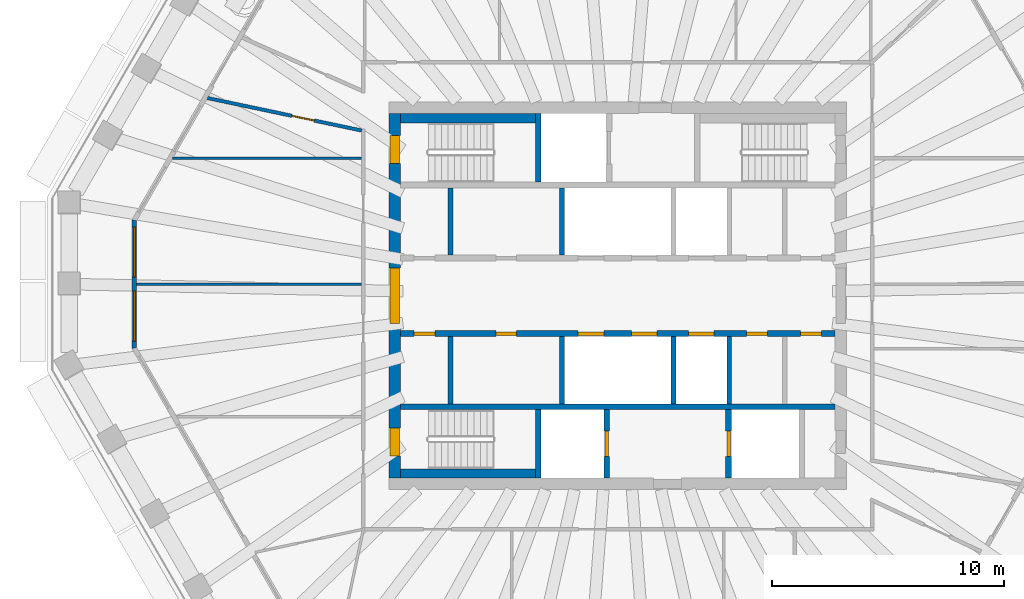
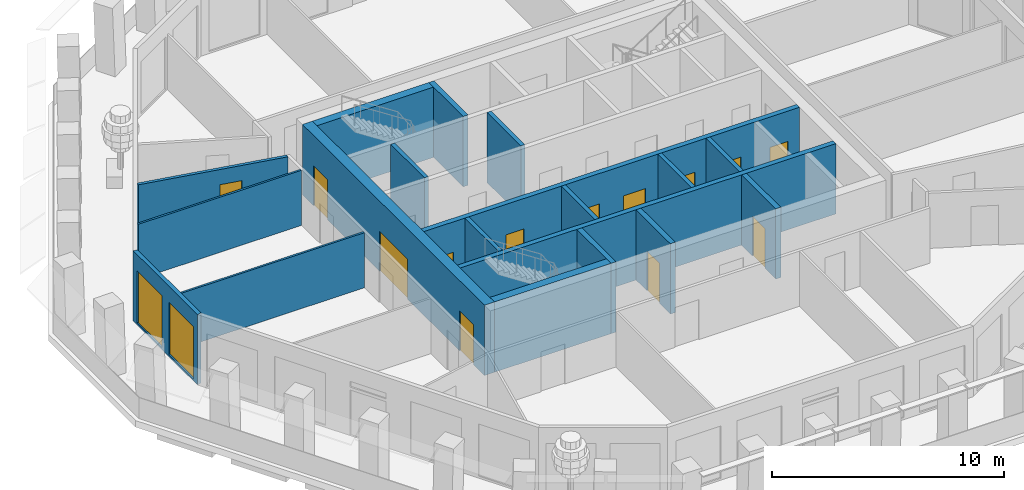
# One storey, part 4 of 11: 19 walls, 13 doors, 2 windows, 15 openings.
"""IFC4 building model written with IfcOpenShell, lengths in metres."""

from ifc_helpers import new_model, si_unit, direction, frame, frame_2d, origin, place, context, subcontext, project, spatial, polyline, rectangle, outline, extrude, material, layer, layer_set, type_object, element, fill, save


model = new_model("IFC4")

# Units and contexts
model_context = context("Model", 3, precision=1e-05, world=origin(), true_north=direction((0.0, 1.0)))
body_context = subcontext(model_context, "Body", "Model", "MODEL_VIEW")
ifc_project = project(units=[si_unit("LENGTHUNIT", "METRE"), si_unit("AREAUNIT", "SQUARE_METRE"), si_unit("VOLUMEUNIT", "CUBIC_METRE"), si_unit("PLANEANGLEUNIT", "RADIAN"), si_unit("MASSUNIT", "GRAM", prefix="KILO")], contexts=[model_context])

# Site, building, storey
site_placement = place(None, origin())
site = spatial("IfcSite", under=ifc_project, at=site_placement, CompositionType="ELEMENT")
building_placement = place(site_placement, origin())
building = spatial("IfcBuilding", under=site, at=building_placement, Name="Frailejon Research Tower", CompositionType="ELEMENT")
storey_placement = place(building_placement, frame((0.0, 0.0, 279.0)))
storey = spatial("IfcBuildingStorey", under=building, at=storey_placement, Name="L61", CompositionType="ELEMENT", Elevation=279.0)

# Wall, openings, doors
ifc_material_1 = material(Name="Concrete C50/60", Category="concrete")
ifc_layer_1 = layer(ifc_material_1, 0.5)
ifc_layer_set_1 = layer_set([ifc_layer_1], Name="Core shear wall 500 C50/60")
wall_type_1 = type_object("IfcWallType", Name="Core shear wall 500 C50/60", PredefinedType="SHEAR", material=ifc_layer_set_1)
wall_1_placement = place(storey_placement, frame((-9.60009765625, -7.85009765625, 0.0), z_axis=(0.0, 0.0, 1.0), x_axis=(0.0, 1.0, 0.0)))
wall_1 = element("IfcWall", 1, at=wall_1_placement, inside=storey, type_object=wall_type_1, Name="Core shear wall", PredefinedType="SHEAR", context=body_context, shape_type="SweptSolid", body=[
    extrude(rectangle(XDim=15.7001953125, YDim=0.5, at=frame_2d((7.85009765625, 0.0))), origin(), (0.0, 0.0, 1.0), 3.699951171875),
])
opening_1_placement = place(wall_1_placement, frame((6.64990234375, 0.0, 0.0)))
opening_1 = element("IfcOpeningElement", 2, at=opening_1_placement, cuts=wall_1, Name="Opening D2", PredefinedType="OPENING", context=body_context, shape_type="SweptSolid", body=[
    extrude(rectangle(XDim=2.39990234375, YDim=2.10009765625, at=frame_2d((1.199951171875, 1.050048828125))), frame((0.0, 0.260009765625, 0.0), z_axis=(0.0, -1.0, 0.0), x_axis=(1.0, 0.0, 0.0)), (0.0, 0.0, 1.0), 0.52001953125),
])
opening_2_placement = place(wall_1_placement, frame((13.550048828125, 0.0, 0.0)))
opening_2 = element("IfcOpeningElement", 3, at=opening_2_placement, cuts=wall_1, Name="Opening D1", PredefinedType="OPENING", context=body_context, shape_type="SweptSolid", body=[
    extrude(rectangle(XDim=1.199951171875, YDim=2.10009765625, at=frame_2d((0.60009765625, 1.050048828125))), frame((0.0, 0.260009765625, 0.0), z_axis=(0.0, -1.0, 0.0), x_axis=(1.0, 0.0, 0.0)), (0.0, 0.0, 1.0), 0.52001953125),
])
opening_3_placement = place(wall_1_placement, frame((0.949951171875, 0.0, 0.0)))
opening_3 = element("IfcOpeningElement", 4, at=opening_3_placement, cuts=wall_1, Name="Opening D1", PredefinedType="OPENING", context=body_context, shape_type="SweptSolid", body=[
    extrude(rectangle(XDim=1.199951171875, YDim=2.10009765625, at=frame_2d((0.60009765625, 1.050048828125))), frame((0.0, 0.260009765625, 0.0), z_axis=(0.0, -1.0, 0.0), x_axis=(1.0, 0.0, 0.0)), (0.0, 0.0, 1.0), 0.52001953125),
])
ifc_material_2 = material(Name="Steel", Category="steel")
door_type_1 = type_object("IfcDoorType", Name="Lobby double door", OperationType="DOUBLE_DOOR_SINGLE_SWING", PredefinedType="DOOR", material=ifc_material_2)
door_1_placement = place(opening_1_placement, origin())
door_1 = element("IfcDoor", 5, at=door_1_placement, inside=storey, type_object=door_type_1, Name="Lobby door", OperationType="DOUBLE_DOOR_SINGLE_SWING", OverallHeight=2.10009765625, OverallWidth=2.39990234375, PredefinedType="DOOR", context=body_context, shape_type="SweptSolid", body=[
    extrude(rectangle(XDim=2.39990234375, YDim=2.10009765625, at=frame_2d((1.199951171875, 1.050048828125))), frame((0.0, 0.199951171875, 0.0), z_axis=(0.0, -1.0, 0.0), x_axis=(1.0, 0.0, 0.0)), (0.0, 0.0, 1.0), 0.39990234375),
])
fill(opening_1, door_1)
ifc_material_3 = material(Name="Steel", Category="steel")
door_type_2 = type_object("IfcDoorType", Name="Stair door", OperationType="SINGLE_SWING_LEFT", PredefinedType="DOOR", material=ifc_material_3)
door_2_placement = place(opening_2_placement, origin())
door_2 = element("IfcDoor", 6, at=door_2_placement, inside=storey, type_object=door_type_2, Name="Stair door ST1", OperationType="SINGLE_SWING_RIGHT", OverallHeight=2.10009765625, OverallWidth=1.199951171875, PredefinedType="DOOR", context=body_context, shape_type="SweptSolid", body=[
    extrude(rectangle(XDim=1.199951171875, YDim=2.10009765625, at=frame_2d((0.60009765625, 1.050048828125))), frame((0.0, 0.199951171875, 0.0), z_axis=(0.0, -1.0, 0.0), x_axis=(1.0, 0.0, 0.0)), (0.0, 0.0, 1.0), 0.39990234375),
])
fill(opening_2, door_2)
door_3_placement = place(opening_3_placement, origin())
door_3 = element("IfcDoor", 7, at=door_3_placement, inside=storey, type_object=door_type_2, Name="Stair door ST2", OperationType="SINGLE_SWING_LEFT", OverallHeight=2.10009765625, OverallWidth=1.199951171875, PredefinedType="DOOR", context=body_context, shape_type="SweptSolid", body=[
    extrude(rectangle(XDim=1.199951171875, YDim=2.10009765625, at=frame_2d((0.60009765625, 1.050048828125))), frame((0.0, 0.199951171875, 0.0), z_axis=(0.0, -1.0, 0.0), x_axis=(1.0, 0.0, 0.0)), (0.0, 0.0, 1.0), 0.39990234375),
])
fill(opening_3, door_3)

# Wall, opening, door
ifc_material_4 = material(Name="Gypsum board and masonry partition", Category="masonry")
ifc_layer_2 = layer(ifc_material_4, 0.14990234375)
ifc_layer_set_2 = layer_set([ifc_layer_2], Name="Corridor wall EI 60, gypsum on steel studs 150")
wall_type_2 = type_object("IfcWallType", Name="Corridor wall EI 60, gypsum on steel studs 150", PredefinedType="PARTITIONING", material=ifc_layer_set_2)
wall_2_placement = place(storey_placement, frame((-17.662109375, 8.513916015625, 0.0), z_axis=(0.0, 0.0, 1.0), x_axis=(0.978525342135, -0.206126550447, 0.0)))
wall_2 = element("IfcWall", 8, at=wall_2_placement, inside=storey, type_object=wall_type_2, Name="T:IW:L61:002", PredefinedType="PARTITIONING", context=body_context, shape_type="SweptSolid", body=[
    extrude(rectangle(XDim=6.784423828125, YDim=0.14990234375, at=frame_2d((3.39208984375, 0.0))), origin(), (0.0, 0.0, 1.0), 2.89990234375),
])
opening_4_placement = place(wall_2_placement, frame((3.70361328125, 0.0, 0.0)))
opening_4 = element("IfcOpeningElement", 9, at=opening_4_placement, cuts=wall_2, Name="Opening D2176", PredefinedType="OPENING", context=body_context, shape_type="SweptSolid", body=[
    extrude(rectangle(XDim=1.0, YDim=2.10009765625, at=frame_2d((0.5, 1.050048828125))), frame((0.0, 0.0849609375, 0.0), z_axis=(0.0, -1.0, 0.0), x_axis=(1.0, 0.0, 0.0)), (0.0, 0.0, 1.0), 0.169921875),
])
ifc_material_5 = material(Name="Timber door leaf", Category="wood")
door_type_3 = type_object("IfcDoorType", Name="Door single leaf, timber, steel frame 1000", OperationType="NOTDEFINED", PredefinedType="DOOR", material=ifc_material_5)
door_4_placement = place(opening_4_placement, origin())
door_4 = element("IfcDoor", 10, at=door_4_placement, inside=storey, type_object=door_type_3, Name="D2176", OperationType="SINGLE_SWING_RIGHT", OverallHeight=2.10009765625, OverallWidth=1.0, PredefinedType="DOOR", context=body_context, shape_type="SweptSolid", body=[
    extrude(rectangle(XDim=1.0, YDim=2.10009765625, at=frame_2d((0.5, 1.050048828125))), frame((0.0, 0.02490234375, 0.0), z_axis=(0.0, -1.0, 0.0), x_axis=(1.0, 0.0, 0.0)), (0.0, 0.0, 1.0), 0.050048828125),
])
fill(opening_4, door_4)

# Walls
ifc_material_6 = material(Name="Gypsum board and masonry partition", Category="masonry")
ifc_layer_3 = layer(ifc_material_6, 0.10009765625)
ifc_layer_set_3 = layer_set([ifc_layer_3], Name="Partition, gypsum on steel studs 100")
wall_type_3 = type_object("IfcWallType", Name="Partition, gypsum on steel studs 100", PredefinedType="PARTITIONING", material=ifc_layer_set_3)
wall_3_placement = place(storey_placement, frame((-20.714111328125, 0.502685546875, 0.0), z_axis=(0.0, 0.0, 1.0), x_axis=(1.0, 0.0, 0.0)))
element("IfcWall", 11, at=wall_3_placement, inside=storey, type_object=wall_type_3, Name="T:IW:L61:014", PredefinedType="PARTITIONING", context=body_context, shape_type="SweptSolid", body=[
    extrude(rectangle(XDim=9.689208984375, YDim=0.10009765625, at=frame_2d((4.8447265625, 0.0))), origin(), (0.0, 0.0, 1.0), 2.89990234375),
])
wall_4_placement = place(storey_placement, frame((-19.16015625, 5.91943359375, 0.0), z_axis=(0.0, 0.0, 1.0), x_axis=(1.0, 0.0, 0.0)))
element("IfcWall", 12, at=wall_4_placement, inside=storey, type_object=wall_type_3, Name="T:IW:L61:020", PredefinedType="PARTITIONING", context=body_context, shape_type="SweptSolid", body=[
    extrude(rectangle(XDim=8.13525390625, YDim=0.10009765625, at=frame_2d((4.067626953125, 0.0))), origin(), (0.0, 0.0, 1.0), 2.89990234375),
])
ifc_material_7 = material(Name="Concrete C50/60", Category="concrete")
ifc_layer_4 = layer(ifc_material_7, 0.199951171875)
ifc_layer_set_4 = layer_set([ifc_layer_4], Name="Shaft wall 200 C50/60")
wall_type_4 = type_object("IfcWallType", Name="Shaft wall 200 C50/60", PredefinedType="SOLIDWALL", material=ifc_layer_set_4)
for number, where, z_axis, x_axis, name in (
    (13, (-7.199951171875, 1.75, 0.0), (0.0, 0.0, 1.0), (0.0, 1.0, 0.0), "Shaft wall"),
    (14, (-2.39990234375, 1.75, 0.0), (0.0, 0.0, 1.0), (0.0, 1.0, 0.0), "Shaft wall"),
    (15, (-7.199951171875, -4.64990234375, 0.0), (0.0, 0.0, 1.0), (0.0, 1.0, 0.0), "Shaft wall"),
    (16, (-2.39990234375, -4.64990234375, 0.0), (0.0, 0.0, 1.0), (0.0, 1.0, 0.0), "Shaft wall"),
    (17, (2.39990234375, -4.64990234375, 0.0), (0.0, 0.0, 1.0), (0.0, 1.0, 0.0), "Shaft wall"),
    (18, (4.800048828125, -4.64990234375, 0.0), (0.0, 0.0, 1.0), (0.0, 1.0, 0.0), "Shaft wall"),
):
    element("IfcWall", number, at=place(storey_placement, frame(where, z_axis=z_axis, x_axis=x_axis)), inside=storey, type_object=wall_type_4, Name=name, PredefinedType="SOLIDWALL", context=body_context, shape_type="SweptSolid", body=[
        extrude(rectangle(XDim=2.89990234375, YDim=0.199951171875, at=frame_2d((1.449951171875, 0.0))), origin(), (0.0, 0.0, 1.0), 3.699951171875),
    ])

# Wall, openings, doors
ifc_material_8 = material(Name="Concrete C50/60", Category="concrete")
ifc_layer_5 = layer(ifc_material_8, 0.25)
ifc_layer_set_5 = layer_set([ifc_layer_5], Name="Shaft wall 250 C50/60")
wall_type_5 = type_object("IfcWallType", Name="Shaft wall 250 C50/60", PredefinedType="SOLIDWALL", material=ifc_layer_set_5)
wall_5_placement = place(storey_placement, frame((-9.35009765625, -1.625, 0.0), z_axis=(0.0, 0.0, 1.0), x_axis=(1.0, 0.0, 0.0)))
wall_5 = element("IfcWall", 19, at=wall_5_placement, inside=storey, type_object=wall_type_5, Name="Shaft wall", PredefinedType="SOLIDWALL", context=body_context, shape_type="SweptSolid", body=[
    extrude(rectangle(XDim=18.7001953125, YDim=0.25, at=frame_2d((9.35009765625, 0.0))), origin(), (0.0, 0.0, 1.0), 3.699951171875),
])
opening_5_placement = place(wall_5_placement, frame((7.64990234375, 0.0, 0.0)))
opening_5 = element("IfcOpeningElement", 20, at=opening_5_placement, cuts=wall_5, Name="Opening LD", PredefinedType="OPENING", context=body_context, shape_type="SweptSolid", body=[
    extrude(rectangle(XDim=1.10009765625, YDim=2.10009765625, at=frame_2d((0.550048828125, 1.050048828125))), frame((0.0, 0.135009765625, 0.0), z_axis=(0.0, -1.0, 0.0), x_axis=(1.0, 0.0, 0.0)), (0.0, 0.0, 1.0), 0.27001953125),
])
opening_6_placement = place(wall_5_placement, frame((9.949951171875, 0.0, 0.0)))
opening_6 = element("IfcOpeningElement", 21, at=opening_6_placement, cuts=wall_5, Name="Opening LD", PredefinedType="OPENING", context=body_context, shape_type="SweptSolid", body=[
    extrude(rectangle(XDim=1.10009765625, YDim=2.10009765625, at=frame_2d((0.550048828125, 1.050048828125))), frame((0.0, 0.135009765625, 0.0), z_axis=(0.0, -1.0, 0.0), x_axis=(1.0, 0.0, 0.0)), (0.0, 0.0, 1.0), 0.27001953125),
])
opening_7_placement = place(wall_5_placement, frame((12.39990234375, 0.0, 0.0)))
opening_7 = element("IfcOpeningElement", 22, at=opening_7_placement, cuts=wall_5, Name="Opening LD", PredefinedType="OPENING", context=body_context, shape_type="SweptSolid", body=[
    extrude(rectangle(XDim=1.10009765625, YDim=2.10009765625, at=frame_2d((0.550048828125, 1.050048828125))), frame((0.0, 0.135009765625, 0.0), z_axis=(0.0, -1.0, 0.0), x_axis=(1.0, 0.0, 0.0)), (0.0, 0.0, 1.0), 0.27001953125),
])
opening_8_placement = place(wall_5_placement, frame((0.574951171875, 0.0, 0.0)))
opening_8 = element("IfcOpeningElement", 23, at=opening_8_placement, cuts=wall_5, Name="Opening D8", PredefinedType="OPENING", context=body_context, shape_type="SweptSolid", body=[
    extrude(rectangle(XDim=0.89990234375, YDim=2.10009765625, at=frame_2d((0.449951171875, 1.050048828125))), frame((0.0, 0.135009765625, 0.0), z_axis=(0.0, -1.0, 0.0), x_axis=(1.0, 0.0, 0.0)), (0.0, 0.0, 1.0), 0.27001953125),
])
opening_9_placement = place(wall_5_placement, frame((4.10009765625, 0.0, 0.0)))
opening_9 = element("IfcOpeningElement", 24, at=opening_9_placement, cuts=wall_5, Name="Opening D8", PredefinedType="OPENING", context=body_context, shape_type="SweptSolid", body=[
    extrude(rectangle(XDim=0.89990234375, YDim=2.10009765625, at=frame_2d((0.449951171875, 1.050048828125))), frame((0.0, 0.135009765625, 0.0), z_axis=(0.0, -1.0, 0.0), x_axis=(1.0, 0.0, 0.0)), (0.0, 0.0, 1.0), 0.27001953125),
])
opening_10_placement = place(wall_5_placement, frame((14.89990234375, 0.0, 0.0)))
opening_10 = element("IfcOpeningElement", 25, at=opening_10_placement, cuts=wall_5, Name="Opening D8", PredefinedType="OPENING", context=body_context, shape_type="SweptSolid", body=[
    extrude(rectangle(XDim=0.89990234375, YDim=2.10009765625, at=frame_2d((0.449951171875, 1.050048828125))), frame((0.0, 0.135009765625, 0.0), z_axis=(0.0, -1.0, 0.0), x_axis=(1.0, 0.0, 0.0)), (0.0, 0.0, 1.0), 0.27001953125),
])
opening_11_placement = place(wall_5_placement, frame((17.22509765625, 0.0, 0.0)))
opening_11 = element("IfcOpeningElement", 26, at=opening_11_placement, cuts=wall_5, Name="Opening D8", PredefinedType="OPENING", context=body_context, shape_type="SweptSolid", body=[
    extrude(rectangle(XDim=0.89990234375, YDim=2.10009765625, at=frame_2d((0.449951171875, 1.050048828125))), frame((0.0, 0.135009765625, 0.0), z_axis=(0.0, -1.0, 0.0), x_axis=(1.0, 0.0, 0.0)), (0.0, 0.0, 1.0), 0.27001953125),
])
ifc_material_9 = material(Name="Steel", Category="steel")
door_type_4 = type_object("IfcDoorType", Name="Core room door", OperationType="SINGLE_SWING_LEFT", PredefinedType="DOOR", material=ifc_material_9)
door_5_placement = place(opening_8_placement, origin())
door_5 = element("IfcDoor", 27, at=door_5_placement, inside=storey, type_object=door_type_4, Name="Room door", OperationType="SINGLE_SWING_RIGHT", OverallHeight=2.10009765625, OverallWidth=0.89990234375, PredefinedType="DOOR", context=body_context, shape_type="SweptSolid", body=[
    extrude(rectangle(XDim=0.89990234375, YDim=2.10009765625, at=frame_2d((0.449951171875, 1.050048828125))), frame((0.0, 0.074951171875, 0.0), z_axis=(0.0, -1.0, 0.0), x_axis=(1.0, 0.0, 0.0)), (0.0, 0.0, 1.0), 0.14990234375),
])
fill(opening_8, door_5)
door_6_placement = place(opening_9_placement, origin())
door_6 = element("IfcDoor", 28, at=door_6_placement, inside=storey, type_object=door_type_4, Name="Room door", OperationType="SINGLE_SWING_LEFT", OverallHeight=2.10009765625, OverallWidth=0.89990234375, PredefinedType="DOOR", context=body_context, shape_type="SweptSolid", body=[
    extrude(rectangle(XDim=0.89990234375, YDim=2.10009765625, at=frame_2d((0.449951171875, 1.050048828125))), frame((0.0, 0.074951171875, 0.0), z_axis=(0.0, -1.0, 0.0), x_axis=(1.0, 0.0, 0.0)), (0.0, 0.0, 1.0), 0.14990234375),
])
fill(opening_9, door_6)
door_7_placement = place(opening_10_placement, origin())
door_7 = element("IfcDoor", 29, at=door_7_placement, inside=storey, type_object=door_type_4, Name="Room door", OperationType="SINGLE_SWING_RIGHT", OverallHeight=2.10009765625, OverallWidth=0.89990234375, PredefinedType="DOOR", context=body_context, shape_type="SweptSolid", body=[
    extrude(rectangle(XDim=0.89990234375, YDim=2.10009765625, at=frame_2d((0.449951171875, 1.050048828125))), frame((0.0, 0.074951171875, 0.0), z_axis=(0.0, -1.0, 0.0), x_axis=(1.0, 0.0, 0.0)), (0.0, 0.0, 1.0), 0.14990234375),
])
fill(opening_10, door_7)
door_8_placement = place(opening_11_placement, origin())
door_8 = element("IfcDoor", 30, at=door_8_placement, inside=storey, type_object=door_type_4, Name="Room door", OperationType="SINGLE_SWING_LEFT", OverallHeight=2.10009765625, OverallWidth=0.89990234375, PredefinedType="DOOR", context=body_context, shape_type="SweptSolid", body=[
    extrude(rectangle(XDim=0.89990234375, YDim=2.10009765625, at=frame_2d((0.449951171875, 1.050048828125))), frame((0.0, 0.074951171875, 0.0), z_axis=(0.0, -1.0, 0.0), x_axis=(1.0, 0.0, 0.0)), (0.0, 0.0, 1.0), 0.14990234375),
])
fill(opening_11, door_8)
ifc_material_10 = material(Name="Steel", Category="steel")
door_type_5 = type_object("IfcDoorType", Name="Lift landing door", OperationType="DOUBLE_DOOR_SLIDING", PredefinedType="DOOR", material=ifc_material_10)
door_9_placement = place(opening_5_placement, origin())
door_9 = element("IfcDoor", 31, at=door_9_placement, inside=storey, type_object=door_type_5, Name="Lift landing door", OperationType="DOUBLE_DOOR_SLIDING", OverallHeight=2.10009765625, OverallWidth=1.10009765625, PredefinedType="DOOR", context=body_context, shape_type="SweptSolid", body=[
    extrude(rectangle(XDim=1.10009765625, YDim=2.10009765625, at=frame_2d((0.550048828125, 1.050048828125))), frame((0.0, 0.074951171875, 0.0), z_axis=(0.0, -1.0, 0.0), x_axis=(1.0, 0.0, 0.0)), (0.0, 0.0, 1.0), 0.14990234375),
])
fill(opening_5, door_9)
door_10_placement = place(opening_6_placement, origin())
door_10 = element("IfcDoor", 32, at=door_10_placement, inside=storey, type_object=door_type_5, Name="Lift landing door", OperationType="DOUBLE_DOOR_SLIDING", OverallHeight=2.10009765625, OverallWidth=1.10009765625, PredefinedType="DOOR", context=body_context, shape_type="SweptSolid", body=[
    extrude(rectangle(XDim=1.10009765625, YDim=2.10009765625, at=frame_2d((0.550048828125, 1.050048828125))), frame((0.0, 0.074951171875, 0.0), z_axis=(0.0, -1.0, 0.0), x_axis=(1.0, 0.0, 0.0)), (0.0, 0.0, 1.0), 0.14990234375),
])
fill(opening_6, door_10)
door_11_placement = place(opening_7_placement, origin())
door_11 = element("IfcDoor", 33, at=door_11_placement, inside=storey, type_object=door_type_5, Name="Lift landing door", OperationType="DOUBLE_DOOR_SLIDING", OverallHeight=2.10009765625, OverallWidth=1.10009765625, PredefinedType="DOOR", context=body_context, shape_type="SweptSolid", body=[
    extrude(rectangle(XDim=1.10009765625, YDim=2.10009765625, at=frame_2d((0.550048828125, 1.050048828125))), frame((0.0, 0.074951171875, 0.0), z_axis=(0.0, -1.0, 0.0), x_axis=(1.0, 0.0, 0.0)), (0.0, 0.0, 1.0), 0.14990234375),
])
fill(opening_7, door_11)

# Walls
wall_6_placement = place(storey_placement, frame((-9.35009765625, -4.77490234375, 0.0), z_axis=(0.0, 0.0, 1.0), x_axis=(1.0, 0.0, 0.0)))
element("IfcWall", 34, at=wall_6_placement, inside=storey, type_object=wall_type_5, Name="Shaft wall", PredefinedType="SOLIDWALL", context=body_context, shape_type="SweptSolid", body=[
    extrude(rectangle(XDim=18.7001953125, YDim=0.25, at=frame_2d((9.35009765625, 0.0))), origin(), (0.0, 0.0, 1.0), 3.699951171875),
])
for number, where, z_axis, x_axis, name in (
    (35, (-3.425048828125, 4.89990234375, 0.0), (0.0, 0.0, 1.0), (0.0, 1.0, 0.0), "Shaft wall"),
    (36, (-3.425048828125, -7.85009765625, 0.0), (0.0, 0.0, 1.0), (0.0, 1.0, 0.0), "Shaft wall"),
):
    element("IfcWall", number, at=place(storey_placement, frame(where, z_axis=z_axis, x_axis=x_axis)), inside=storey, type_object=wall_type_5, Name=name, PredefinedType="SOLIDWALL", context=body_context, shape_type="SweptSolid", body=[
        extrude(rectangle(XDim=2.9501953125, YDim=0.25, at=frame_2d((1.47509765625, 0.0))), origin(), (0.0, 0.0, 1.0), 3.699951171875),
    ])

# Wall, opening, door
wall_7_placement = place(storey_placement, frame((-0.47509765625, -7.85009765625, 0.0), z_axis=(0.0, 0.0, 1.0), x_axis=(0.0, 1.0, 0.0)))
wall_7 = element("IfcWall", 37, at=wall_7_placement, inside=storey, type_object=wall_type_5, Name="Shaft wall", PredefinedType="SOLIDWALL", context=body_context, shape_type="SweptSolid", body=[
    extrude(rectangle(XDim=2.9501953125, YDim=0.25, at=frame_2d((1.47509765625, 0.0))), origin(), (0.0, 0.0, 1.0), 3.699951171875),
])
opening_12_placement = place(wall_7_placement, frame((0.925048828125, 0.0, 0.0)))
opening_12 = element("IfcOpeningElement", 38, at=opening_12_placement, cuts=wall_7, Name="Opening LD", PredefinedType="OPENING", context=body_context, shape_type="SweptSolid", body=[
    extrude(rectangle(XDim=1.10009765625, YDim=2.10009765625, at=frame_2d((0.550048828125, 1.050048828125))), frame((0.0, 0.135009765625, 0.0), z_axis=(0.0, -1.0, 0.0), x_axis=(1.0, 0.0, 0.0)), (0.0, 0.0, 1.0), 0.27001953125),
])
door_12_placement = place(opening_12_placement, origin())
door_12 = element("IfcDoor", 39, at=door_12_placement, inside=storey, type_object=door_type_5, Name="Lift landing door", OperationType="DOUBLE_DOOR_SLIDING", OverallHeight=2.10009765625, OverallWidth=1.10009765625, PredefinedType="DOOR", context=body_context, shape_type="SweptSolid", body=[
    extrude(rectangle(XDim=1.10009765625, YDim=2.10009765625, at=frame_2d((0.550048828125, 1.050048828125))), frame((0.0, 0.074951171875, 0.0), z_axis=(0.0, -1.0, 0.0), x_axis=(1.0, 0.0, 0.0)), (0.0, 0.0, 1.0), 0.14990234375),
])
fill(opening_12, door_12)

wall_8_placement = place(storey_placement, frame((4.77490234375, -7.85009765625, 0.0), z_axis=(0.0, 0.0, 1.0), x_axis=(0.0, 1.0, 0.0)))
wall_8 = element("IfcWall", 40, at=wall_8_placement, inside=storey, type_object=wall_type_5, Name="Shaft wall", PredefinedType="SOLIDWALL", context=body_context, shape_type="SweptSolid", body=[
    extrude(rectangle(XDim=2.9501953125, YDim=0.25, at=frame_2d((1.47509765625, 0.0))), origin(), (0.0, 0.0, 1.0), 3.699951171875),
])
opening_13_placement = place(wall_8_placement, frame((0.925048828125, 0.0, 0.0)))
opening_13 = element("IfcOpeningElement", 41, at=opening_13_placement, cuts=wall_8, Name="Opening LD", PredefinedType="OPENING", context=body_context, shape_type="SweptSolid", body=[
    extrude(rectangle(XDim=1.10009765625, YDim=2.10009765625, at=frame_2d((0.550048828125, 1.050048828125))), frame((0.0, 0.135009765625, 0.0), z_axis=(0.0, -1.0, 0.0), x_axis=(1.0, 0.0, 0.0)), (0.0, 0.0, 1.0), 0.27001953125),
])
door_13_placement = place(opening_13_placement, origin())
door_13 = element("IfcDoor", 42, at=door_13_placement, inside=storey, type_object=door_type_5, Name="Lift landing door", OperationType="DOUBLE_DOOR_SLIDING", OverallHeight=2.10009765625, OverallWidth=1.10009765625, PredefinedType="DOOR", context=body_context, shape_type="SweptSolid", body=[
    extrude(rectangle(XDim=1.10009765625, YDim=2.10009765625, at=frame_2d((0.550048828125, 1.050048828125))), frame((0.0, 0.074951171875, 0.0), z_axis=(0.0, -1.0, 0.0), x_axis=(1.0, 0.0, 0.0)), (0.0, 0.0, 1.0), 0.14990234375),
])
fill(opening_13, door_13)

# Walls
ifc_material_11 = material(Name="Concrete C50/60", Category="concrete")
ifc_layer_6 = layer(ifc_material_11, 0.39990234375)
ifc_layer_set_6 = layer_set([ifc_layer_6], Name="Shaft wall 400 C50/60")
wall_type_6 = type_object("IfcWallType", Name="Shaft wall 400 C50/60", PredefinedType="SOLIDWALL", material=ifc_layer_set_6)
for number, where, z_axis, x_axis, name in (
    (43, (-9.35009765625, 7.64990234375, 0.0), (0.0, 0.0, 1.0), (1.0, 0.0, 0.0), "Shaft wall"),
    (44, (-9.35009765625, -7.64990234375, 0.0), (0.0, 0.0, 1.0), (1.0, 0.0, 0.0), "Shaft wall"),
):
    element("IfcWall", number, at=place(storey_placement, frame(where, z_axis=z_axis, x_axis=x_axis)), inside=storey, type_object=wall_type_6, Name=name, PredefinedType="SOLIDWALL", context=body_context, shape_type="SweptSolid", body=[
        extrude(rectangle(XDim=5.800048828125, YDim=0.39990234375, at=frame_2d((2.89990234375, 0.0))), origin(), (0.0, 0.0, 1.0), 3.699951171875),
    ])

# Wall, openings, windows
ifc_material_12 = material(Name="Concrete C40/50 precast window wall panel", Category="concrete")
ifc_layer_7 = layer(ifc_material_12, 0.199951171875)
ifc_layer_set_7 = layer_set([ifc_layer_7], Name="Window wall 200")
wall_type_7 = type_object("IfcWallType", Name="Window wall 200", PredefinedType="SOLIDWALL", material=ifc_layer_set_7)
wall_9_placement = place(storey_placement, frame((-20.814208984375, 3.25439453125, 0.0), z_axis=(0.0, 0.0, 1.0), x_axis=(0.0, -1.0, 0.0)))
wall_9 = element("IfcWall", 45, at=wall_9_placement, inside=storey, type_object=wall_type_7, Name="Exterior wall L61", PredefinedType="SOLIDWALL", context=body_context, shape_type="SweptSolid", body=[
    extrude(outline(polyline([(-0.02685546875, -0.10009765625), (1.08447265625, -0.10009765625), (2.19580078125, -0.10009765625), (3.307373046875, -0.10009765625), (4.418701171875, -0.10009765625), (5.530029296875, -0.10009765625), (5.476318359375, 0.10009765625), (4.386474609375, 0.10009765625), (3.296630859375, 0.10009765625), (2.20654296875, 0.10009765625), (1.11669921875, 0.10009765625), (0.02685546875, 0.10009765625), (-0.02685546875, -0.10009765625)])), origin(), (0.0, 0.0, 1.0), 3.699951171875),
])
opening_14_placement = place(wall_9_placement, frame((0.30078125, 0.0, 0.10009765625)))
opening_14 = element("IfcOpeningElement", 46, at=opening_14_placement, cuts=wall_9, Name="Opening W22", PredefinedType="OPENING", context=body_context, shape_type="SweptSolid", body=[
    extrude(rectangle(XDim=2.14990234375, YDim=2.75, at=frame_2d((1.074951171875, 1.375))), frame((0.0, 0.10986328125, 0.0), z_axis=(0.0, -1.0, 0.0), x_axis=(1.0, 0.0, 0.0)), (0.0, 0.0, 1.0), 0.219970703125),
])
opening_15_placement = place(wall_9_placement, frame((3.052490234375, 0.0, 0.10009765625)))
opening_15 = element("IfcOpeningElement", 47, at=opening_15_placement, cuts=wall_9, Name="Opening W22", PredefinedType="OPENING", context=body_context, shape_type="SweptSolid", body=[
    extrude(rectangle(XDim=2.14990234375, YDim=2.75, at=frame_2d((1.074951171875, 1.375))), frame((0.0, 0.10986328125, 0.0), z_axis=(0.0, -1.0, 0.0), x_axis=(1.0, 0.0, 0.0)), (0.0, 0.0, 1.0), 0.219970703125),
])
ifc_material_13 = material(Name="Aluminium framed double glazing", Category="aluminium")
window_type = type_object("IfcWindowType", Name="Window 2150x2750", PartitioningType="SINGLE_PANEL", PredefinedType="WINDOW", material=ifc_material_13)
window_1_placement = place(opening_14_placement, origin())
window_1 = element("IfcWindow", 48, at=window_1_placement, inside=storey, type_object=window_type, Name="Window L61", OverallHeight=2.75, OverallWidth=2.14990234375, PartitioningType="SINGLE_PANEL", PredefinedType="WINDOW", context=body_context, shape_type="SweptSolid", body=[
    extrude(rectangle(XDim=2.14990234375, YDim=2.75, at=frame_2d((1.074951171875, 1.375))), frame((0.0, 0.030029296875, 0.0), z_axis=(0.0, -1.0, 0.0), x_axis=(1.0, 0.0, 0.0)), (0.0, 0.0, 1.0), 0.06005859375),
])
fill(opening_14, window_1)
window_2_placement = place(opening_15_placement, origin())
window_2 = element("IfcWindow", 49, at=window_2_placement, inside=storey, type_object=window_type, Name="Window L61", OverallHeight=2.75, OverallWidth=2.14990234375, PartitioningType="SINGLE_PANEL", PredefinedType="WINDOW", context=body_context, shape_type="SweptSolid", body=[
    extrude(rectangle(XDim=2.14990234375, YDim=2.75, at=frame_2d((1.074951171875, 1.375))), frame((0.0, 0.030029296875, 0.0), z_axis=(0.0, -1.0, 0.0), x_axis=(1.0, 0.0, 0.0)), (0.0, 0.0, 1.0), 0.06005859375),
])
fill(opening_15, window_2)

save(model, "model.ifc")
